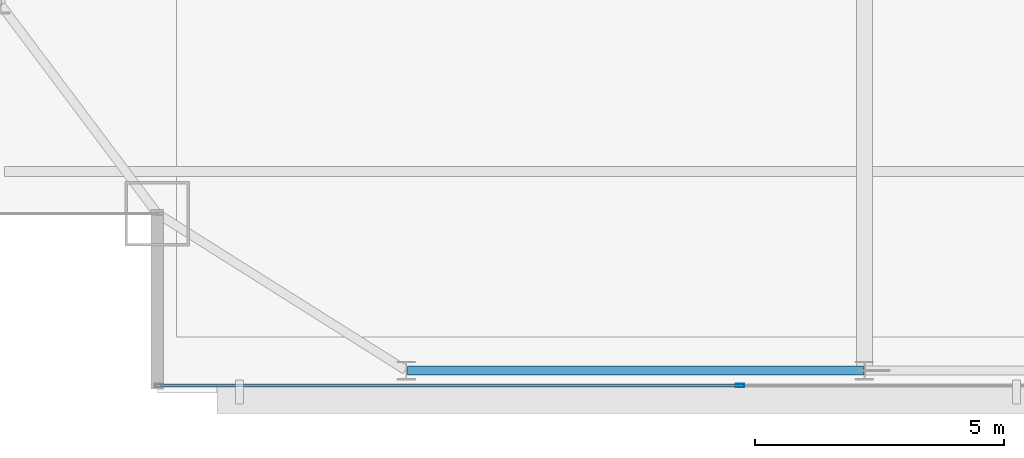
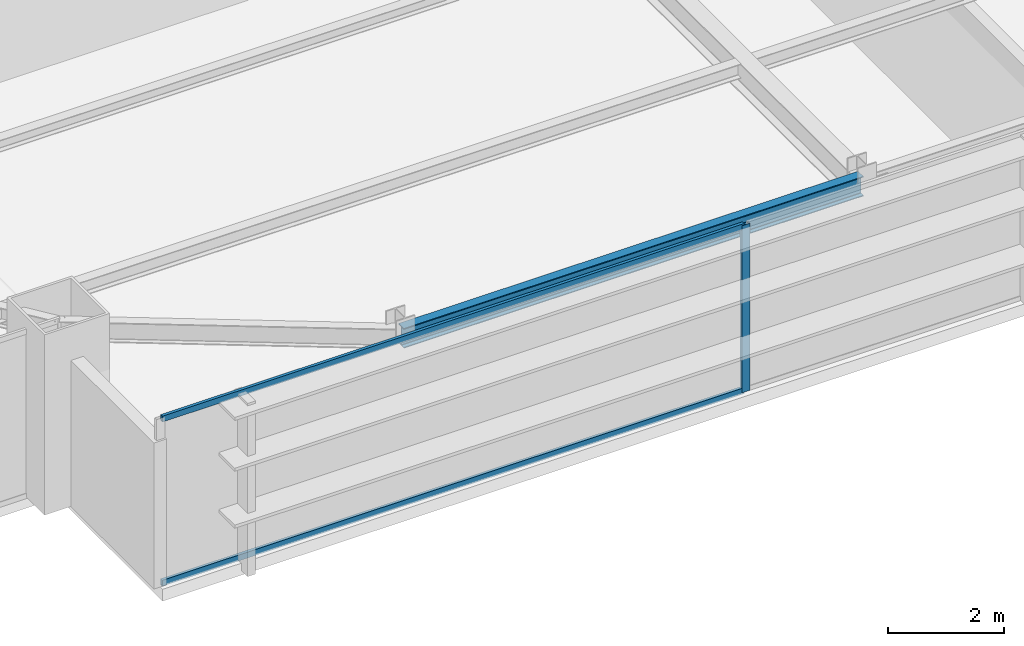
# One storey, part 5 of 29: 3 members, 1 beam, 1 element without a shape of its own.
"""IFC4 building model written with IfcOpenShell, lengths in metres."""

from ifc_helpers import new_model, si_unit, direction, frame, origin, origin_2d, place, context, subcontext, project, spatial, hollow_rectangle, i_section, extrude, source, transform, mapped, material, layer, layer_set, material_profile, profile_set, type_object, type_shapes, element, aggregate, save


model = new_model("IFC4")

# Units and contexts
model_context = context("Model", 3, precision=1e-05, world=origin(), true_north=direction((0.0, 1.0)))
body_context = subcontext(model_context, "Body", "Model", "MODEL_VIEW")
ifc_project = project(units=[si_unit("LENGTHUNIT", "METRE"), si_unit("AREAUNIT", "SQUARE_METRE"), si_unit("VOLUMEUNIT", "CUBIC_METRE"), si_unit("PLANEANGLEUNIT", "RADIAN"), si_unit("MASSUNIT", "GRAM", prefix="KILO")], contexts=[model_context])

# Site, building, storey
site_placement = place(None, origin())
site = spatial("IfcSite", under=ifc_project, at=site_placement, CompositionType="ELEMENT")
building_placement = place(site_placement, origin())
building = spatial("IfcBuilding", under=site, at=building_placement, Name="Varnel Quay Broadcast Tower", CompositionType="ELEMENT")
storey_placement = place(building_placement, frame((0.0, 0.0, 187.60009765625)))
storey = spatial("IfcBuildingStorey", under=building, at=storey_placement, Name="L46", CompositionType="ELEMENT", Elevation=187.60009765625)

# Beam
ifc_material_1 = material(Name="Structural Steel CSA G40.21 350W", Category="steel")
ifc_material_profile_1 = material_profile(ifc_material_1, i_section(OverallWidth=0.180908203125, OverallDepth=0.4169921875, WebThickness=0.010986328125, FlangeThickness=0.018310546875, FilletRadius=0.011962890625, at=origin_2d()), Name="W410X85")
ifc_profile_set_1 = profile_set([ifc_material_profile_1], Name="Structural Steel CSA G40.21 350W")
beam_type = type_object("IfcBeamType", Name="Beam_W410X85", PredefinedType="SPANDREL", material=ifc_profile_set_1)
shared_shape_1 = source(origin(), body_context, "Body", "SweptSolid", [
    extrude(i_section(OverallWidth=0.180908203125, OverallDepth=0.4169921875, WebThickness=0.010986328125, FlangeThickness=0.018310546875, FilletRadius=0.011962890625, at=origin_2d()), origin(), (0.0, 0.0, 1.0), 9.159912109375),
])
type_shapes(beam_type, [shared_shape_1])
beam_placement = place(storey_placement, frame((15.6201171875, 7.64990234375, 3.3115234375), z_axis=(1.0, 0.0, 0.0), x_axis=(0.0, 1.0, 0.0)))
element("IfcBeam", 1, at=beam_placement, inside=storey, type_object=beam_type, Name="L46 South Spandrel TC-S1-TC-S2", PredefinedType="SPANDREL", context=body_context, shape_type="MappedRepresentation", body=[
    mapped(shared_shape_1, transform((0.0, 0.0, 0.0), x_axis=(1.0, 0.0, 0.0), y_axis=(0.0, 1.0, 0.0), z_axis=(0.0, 0.0, 1.0), scale=1.0)),
])

# Curtain wall, members
ifc_material_2 = material(Name="Anodised Bronze Aluminium 6063-T6", Category="aluminium")
ifc_layer = layer(ifc_material_2, 0.18994140625, Name="Anodised Bronze Aluminium 6063-T6")
ifc_layer_set = layer_set([ifc_layer], Name="Anodised Bronze Aluminium 6063-T6")
curtain_wall_type = type_object("IfcCurtainWallType", Name="CW_UpperTower", PredefinedType="NOTDEFINED", material=ifc_layer_set)
curtain_wall_placement = place(storey_placement, origin())
curtain_wall = element("IfcCurtainWall", 2, at=curtain_wall_placement, inside=storey, type_object=curtain_wall_type, Name="L46 South Unitised Curtain Wall 1", PredefinedType="NOTDEFINED")
ifc_material_profile_2 = material_profile(ifc_material_2, hollow_rectangle(XDim=0.06005859375, YDim=0.125, WallThickness=0.0029296875, at=origin_2d()), Name="ALU60X125X3")
ifc_profile_set_2 = profile_set([ifc_material_profile_2], Name="Anodised Bronze Aluminium 6063-T6")
member_type_1 = type_object("IfcMemberType", Name="Tran_CWS-03", PredefinedType="USERDEFINED", material=ifc_profile_set_2)
shared_shape_2 = source(origin(), body_context, "Body", "SweptSolid", [
    extrude(hollow_rectangle(XDim=0.06005859375, YDim=0.125, WallThickness=0.0029296875, at=origin_2d()), origin(), (0.0, 0.0, 1.0), 11.6025390625),
])
type_shapes(member_type_1, [shared_shape_2])
member_1_placement = place(storey_placement, frame((10.6650390625, 7.35009765625, 0.02978515625), z_axis=(1.0, 0.0, 0.0), x_axis=(0.0, 1.0, 0.0)))
member_1 = element("IfcMember", 3, at=member_1_placement, type_object=member_type_1, Name="CWS-03 transom 1.1", ObjectType="TRANSOM", PredefinedType="USERDEFINED", context=body_context, shape_type="MappedRepresentation", body=[
    mapped(shared_shape_2, transform((0.0, 0.0, 0.0), x_axis=(1.0, 0.0, 0.0), y_axis=(0.0, 1.0, 0.0), z_axis=(0.0, 0.0, 1.0), scale=1.0)),
])
member_2_placement = place(storey_placement, frame((10.6650390625, 7.35009765625, 3.489990234375), z_axis=(1.0, 0.0, 0.0), x_axis=(0.0, 1.0, 0.0)))
member_2 = element("IfcMember", 4, at=member_2_placement, type_object=member_type_1, Name="CWS-03 transom 1.2", ObjectType="TRANSOM", PredefinedType="USERDEFINED", context=body_context, shape_type="MappedRepresentation", body=[
    mapped(shared_shape_2, transform((0.0, 0.0, 0.0), x_axis=(1.0, 0.0, 0.0), y_axis=(0.0, 1.0, 0.0), z_axis=(0.0, 0.0, 1.0), scale=1.0)),
])
ifc_material_profile_3 = material_profile(ifc_material_2, hollow_rectangle(XDim=0.06494140625, YDim=0.1650390625, WallThickness=0.00341796875, at=origin_2d()), Name="ALU65X165X3.5")
ifc_profile_set_3 = profile_set([ifc_material_profile_3], Name="Anodised Bronze Aluminium 6063-T6")
member_type_2 = type_object("IfcMemberType", Name="Mull_CWS-03", PredefinedType="MULLION", material=ifc_profile_set_3)
shared_shape_3 = source(origin(), body_context, "Body", "SweptSolid", [
    extrude(hollow_rectangle(XDim=0.06494140625, YDim=0.1650390625, WallThickness=0.00341796875, at=origin_2d()), origin(), (0.0, 0.0, 1.0), 3.52001953125),
])
type_shapes(member_type_2, [shared_shape_3])
member_3_placement = place(storey_placement, frame((22.300048828125, 7.35009765625, 0.0), z_axis=(0.0, 0.0, 1.0), x_axis=(0.0, 1.0, 0.0)))
member_3 = element("IfcMember", 5, at=member_3_placement, type_object=member_type_2, Name="CWS-03 mullion 2", PredefinedType="MULLION", context=body_context, shape_type="MappedRepresentation", body=[
    mapped(shared_shape_3, transform((0.0, 0.0, 0.0), x_axis=(1.0, 0.0, 0.0), y_axis=(0.0, 1.0, 0.0), z_axis=(0.0, 0.0, 1.0), scale=1.0)),
])
aggregate(curtain_wall, [member_3, member_1, member_2])

save(model, "model.ifc")
